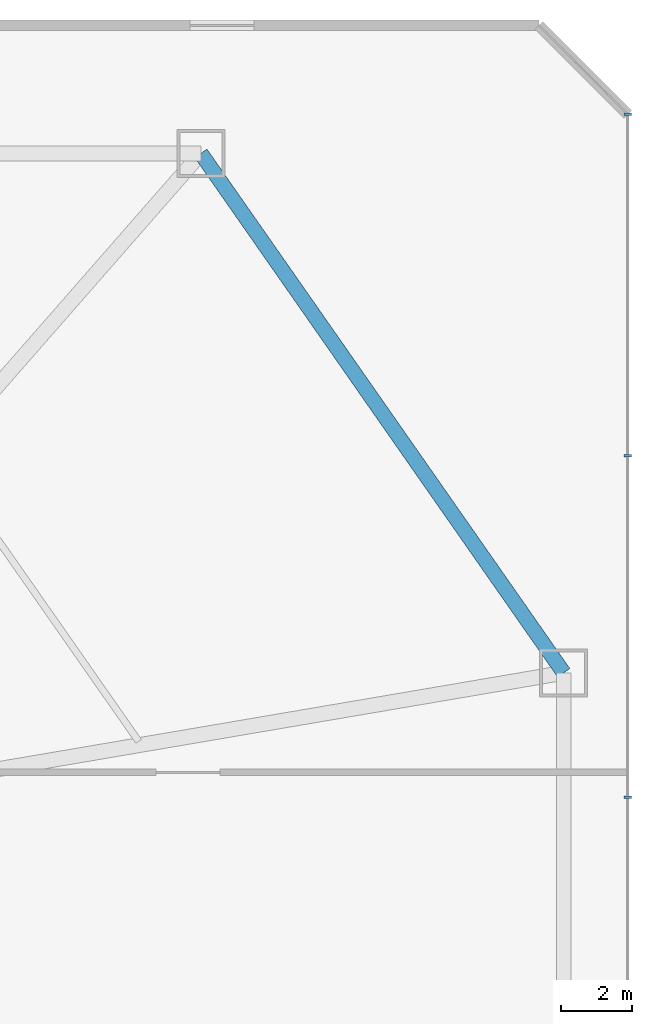
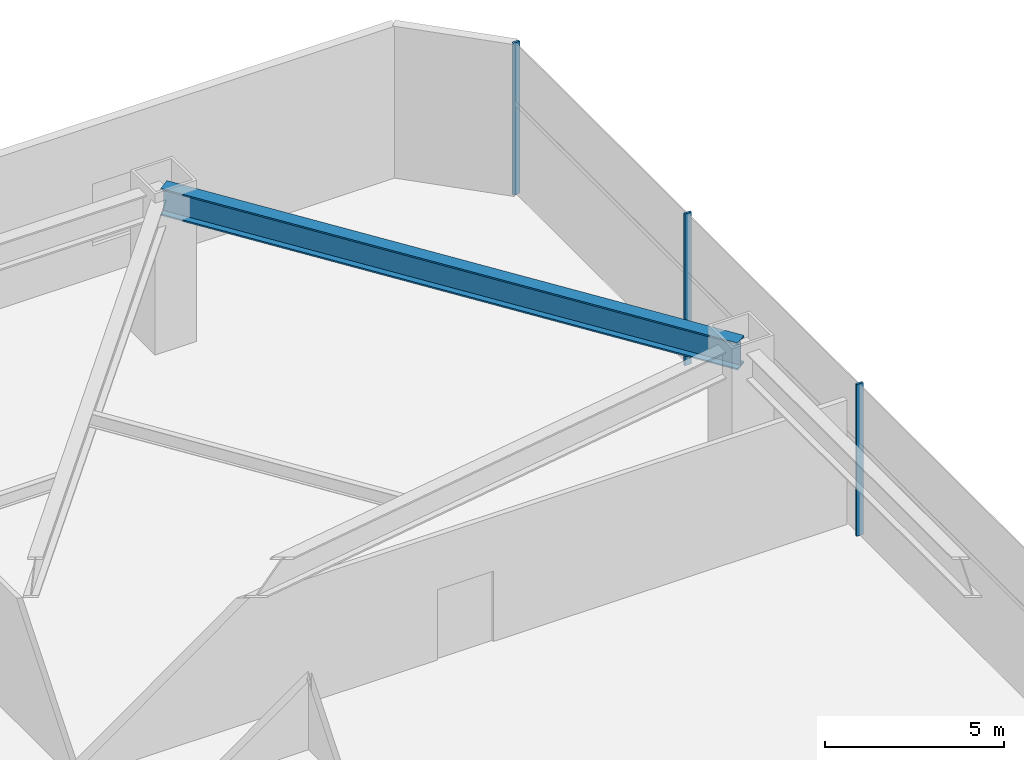
# One storey, part 11 of 20: 3 members, 1 beam, 1 element without a shape of its own.
"""IFC4 building model written with IfcOpenShell, lengths in metres."""

from ifc_helpers import new_model, si_unit, direction, frame, origin, origin_2d, place, context, subcontext, project, spatial, rectangle, i_section, extrude, source, transform, mapped, material, layer, layer_set, material_profile, profile_set, type_object, type_shapes, element, aggregate, save


model = new_model("IFC4")

# Units and contexts
model_context = context("Model", 3, precision=1e-05, world=origin(), true_north=direction((0.0, 1.0)))
body_context = subcontext(model_context, "Body", "Model", "MODEL_VIEW")
ifc_project = project(units=[si_unit("LENGTHUNIT", "METRE"), si_unit("AREAUNIT", "SQUARE_METRE"), si_unit("VOLUMEUNIT", "CUBIC_METRE"), si_unit("PLANEANGLEUNIT", "RADIAN"), si_unit("MASSUNIT", "GRAM", prefix="KILO")], contexts=[model_context])

# Site, building, storey
site_placement = place(None, origin())
site = spatial("IfcSite", under=ifc_project, at=site_placement, CompositionType="ELEMENT")
building_placement = place(site_placement, origin())
building = spatial("IfcBuilding", under=site, at=building_placement, Name="Varakhsha Concourse Tower", CompositionType="ELEMENT")
storey_placement = place(building_placement, frame((0.0, 0.0, 11.0)))
storey = spatial("IfcBuildingStorey", under=building, at=storey_placement, Name="L03", CompositionType="ELEMENT", Elevation=11.0)

# Beam
ifc_material_1 = material(Name="Structural Steel ASTM A992 Grade 50", Category="steel")
ifc_material_profile_1 = material_profile(ifc_material_1, i_section(OverallWidth=0.41796875, OverallDepth=0.927001953125, WebThickness=0.030029296875, FlangeThickness=0.051025390625, at=origin_2d()), Name="W36X231")
ifc_profile_set_1 = profile_set([ifc_material_profile_1], Name="Structural Steel ASTM A992 Grade 50")
beam_type = type_object("IfcBeamType", Name="BM-HALL-W36X231", PredefinedType="USERDEFINED", material=ifc_profile_set_1)
beam_placement = place(storey_placement, frame((75.199951171875, 35.800048828125, 4.716552734375), z_axis=(-0.572710457839, 0.819757727309, 0.0), x_axis=(-0.819757727309, -0.572710457839, 0.0)))
element("IfcBeam", 1, at=beam_placement, inside=storey, type_object=beam_type, Name="BM-PRING-L03-06", ObjectType="GIRDER", PredefinedType="USERDEFINED", context=body_context, shape_type="SweptSolid", body=[
    extrude(i_section(OverallWidth=0.41796875, OverallDepth=0.927001953125, WebThickness=0.030029296875, FlangeThickness=0.051025390625, at=origin_2d()), origin(), (0.0, 0.0, 1.0), 17.81005859375),
])

# Curtain wall, members
ifc_material_2 = material(Name="Anodised Bronze Architectural Aluminium AA 6063-T6", Category="aluminium")
ifc_layer = layer(ifc_material_2, 0.239990234375, Name="CW-SYS-01")
ifc_layer_set = layer_set([ifc_layer], Name="Anodised Bronze Architectural Aluminium AA 6063-T6")
curtain_wall_type = type_object("IfcCurtainWallType", Name="CW-SYS-01", PredefinedType="NOTDEFINED", material=ifc_layer_set)
curtain_wall_placement = place(storey_placement, origin())
curtain_wall = element("IfcCurtainWall", 2, at=curtain_wall_placement, inside=storey, type_object=curtain_wall_type, Name="L03 Podium Curtain Wall 03", PredefinedType="NOTDEFINED")
ifc_material_profile_2 = material_profile(ifc_material_2, rectangle(XDim=0.074951171875, YDim=0.219970703125, at=origin_2d()), Name="CWM-220X75")
ifc_profile_set_2 = profile_set([ifc_material_profile_2], Name="Anodised Bronze Architectural Aluminium AA 6063-T6")
member_type = type_object("IfcMemberType", Name="CWM-220X75", PredefinedType="MULLION", material=ifc_profile_set_2)
shared_shape = source(origin(), body_context, "Body", "SweptSolid", [
    extrude(rectangle(XDim=0.074951171875, YDim=0.219970703125, at=origin_2d()), origin(), (0.0, 0.0, 1.0), 5.179931640625),
])
type_shapes(member_type, [shared_shape])
member_1_placement = place(storey_placement, frame((77.0, 32.300048828125, 0.0), z_axis=(0.0, 0.0, 1.0), x_axis=(0.0, 1.0, 0.0)))
member_1 = element("IfcMember", 3, at=member_1_placement, type_object=member_type, Name="CW-POD-L03-03 Mullion 03", PredefinedType="MULLION", context=body_context, shape_type="MappedRepresentation", body=[
    mapped(shared_shape, transform((0.0, 0.0, 0.0), scale=1.0)),
])
member_2_placement = place(storey_placement, frame((77.0, 41.89990234375, 0.0), z_axis=(0.0, 0.0, 1.0), x_axis=(0.0, 1.0, 0.0)))
member_2 = element("IfcMember", 4, at=member_2_placement, type_object=member_type, Name="CW-POD-L03-03 Mullion 04", PredefinedType="MULLION", context=body_context, shape_type="MappedRepresentation", body=[
    mapped(shared_shape, transform((0.0, 0.0, 0.0), scale=1.0)),
])
member_3_placement = place(storey_placement, frame((77.0, 51.5, 0.0), z_axis=(0.0, 0.0, 1.0), x_axis=(0.0, 1.0, 0.0)))
member_3 = element("IfcMember", 5, at=member_3_placement, type_object=member_type, Name="CW-POD-L03-03 Mullion 05", PredefinedType="MULLION", context=body_context, shape_type="MappedRepresentation", body=[
    mapped(shared_shape, transform((0.0, 0.0, 0.0), scale=1.0)),
])
aggregate(curtain_wall, [member_1, member_2, member_3])

save(model, "model.ifc")
